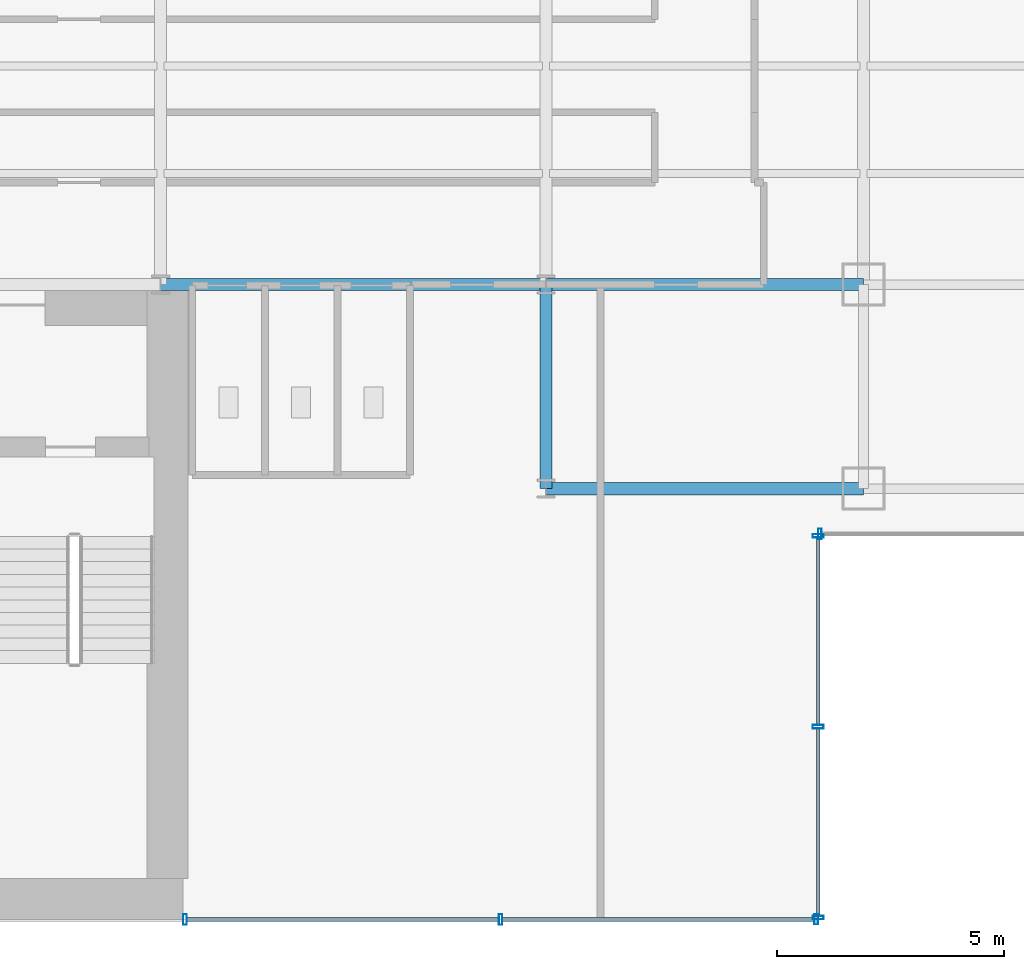
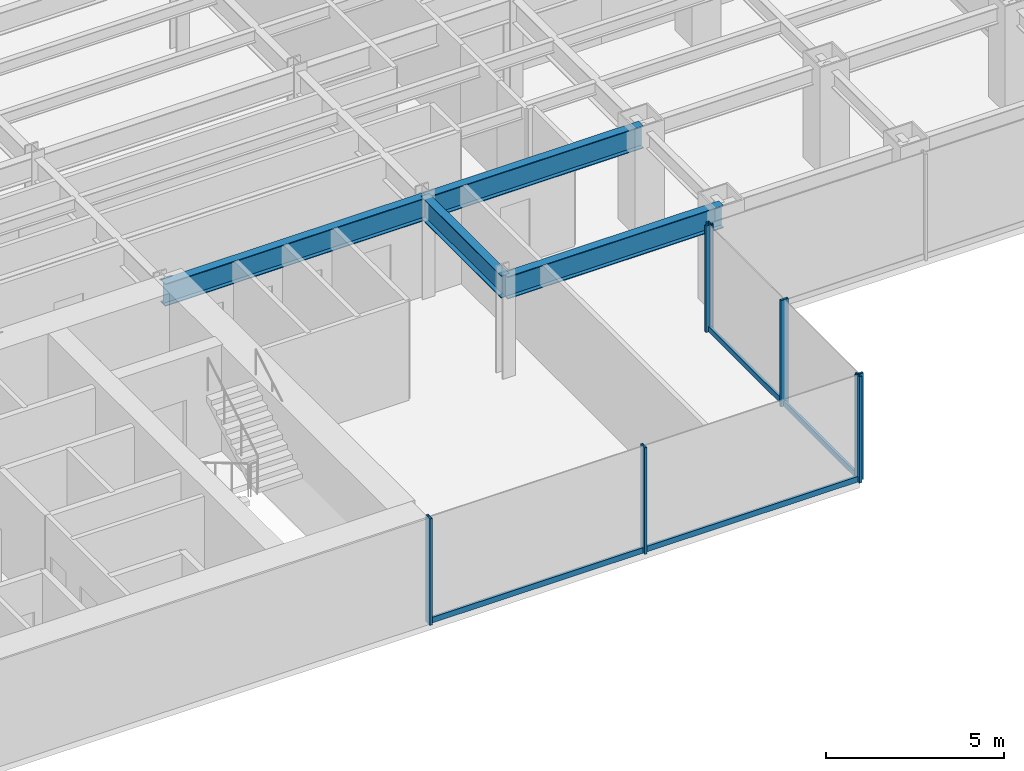
# One storey, part 6 of 22: 11 members, 4 beams, 3 elements without a shape of their own.
"""IFC4 building model written with IfcOpenShell, lengths in metres."""

from ifc_helpers import new_model, si_unit, derived_unit, direction, frame, origin, origin_2d, place, context, subcontext, project, spatial, hollow_rectangle, i_section, extrude, source, transform, mapped, material, material_profile, profile_set, type_object, element, aggregate, save


model = new_model("IFC4")

# Units and contexts
model_context = context("Model", 3, precision=1e-05, world=origin(), true_north=direction((0.0, 1.0)))
body_context = subcontext(model_context, "Body", "Model", "MODEL_VIEW")
ifc_project = project(units=[si_unit("LENGTHUNIT", "METRE"), si_unit("AREAUNIT", "SQUARE_METRE"), si_unit("VOLUMEUNIT", "CUBIC_METRE"), si_unit("PLANEANGLEUNIT", "RADIAN"), si_unit("MASSUNIT", "GRAM", prefix="KILO"), derived_unit("THERMALTRANSMITTANCEUNIT", [(si_unit("POWERUNIT", "WATT"), 1), (si_unit("LENGTHUNIT", "METRE"), -2), (si_unit("THERMODYNAMICTEMPERATUREUNIT", "KELVIN"), -1)])], contexts=[model_context])

# Site, building, storey
site_placement = place(None, origin())
site = spatial("IfcSite", under=ifc_project, at=site_placement, CompositionType="ELEMENT")
building_placement = place(site_placement, origin())
building = spatial("IfcBuilding", under=site, at=building_placement, Name="Skarnbrae Concourse Arena and Tower", CompositionType="ELEMENT")
storey_placement = place(building_placement, frame((0.0, 0.0, 58.050048828125)))
storey = spatial("IfcBuildingStorey", under=building, at=storey_placement, Name="L13", CompositionType="ELEMENT", Elevation=58.050048828125)

# Beams
ifc_material_1 = material(Name="Steel CSA G40.21 350W", Category="steel")
ifc_material_profile_1 = material_profile(ifc_material_1, i_section(OverallWidth=0.26806640625, OverallDepth=0.77001953125, WebThickness=0.015625, FlangeThickness=0.025390625, at=origin_2d()), Name="W760X196")
ifc_profile_set_1 = profile_set([ifc_material_profile_1], Name="Steel CSA G40.21 350W")
beam_type = type_object("IfcBeamType", Name="BM-GIRD-W760X196", PredefinedType="BEAM", material=ifc_profile_set_1)
shared_shape_1 = source(origin(), body_context, "Body", "SweptSolid", [
    extrude(i_section(OverallWidth=0.26806640625, OverallDepth=0.77001953125, WebThickness=0.015625, FlangeThickness=0.025390625, at=origin_2d()), origin(), (0.0, 0.0, 1.0), 7.0),
])
for number, where, z_axis, x_axis, name in (
    (1, (42.0, 9.5, 3.014892578125), (1.0, 0.0, 0.0), (0.0, 1.0, 0.0), "L13 Primary E-W girder Y9.5-2"),
    (2, (42.0, 14.0, 3.014892578125), (1.0, 0.0, 0.0), (0.0, 1.0, 0.0), "L13 Primary E-W girder Y14.0-7"),
):
    element("IfcBeam", number, at=place(storey_placement, frame(where, z_axis=z_axis, x_axis=x_axis)), inside=storey, type_object=beam_type, Name=name, PredefinedType="BEAM", context=body_context, shape_type="MappedRepresentation", body=[
        mapped(shared_shape_1, transform((0.0, 0.0, 0.0))),
    ])
shared_shape_2 = source(origin(), body_context, "Body", "SweptSolid", [
    extrude(i_section(OverallWidth=0.26806640625, OverallDepth=0.77001953125, WebThickness=0.015625, FlangeThickness=0.025390625, at=origin_2d()), origin(), (0.0, 0.0, 1.0), 8.5),
])
beam_1_placement = place(storey_placement, frame((33.5, 14.0, 3.014892578125), z_axis=(1.0, 0.0, 0.0), x_axis=(0.0, 1.0, 0.0)))
element("IfcBeam", 3, at=beam_1_placement, inside=storey, type_object=beam_type, Name="L13 Primary E-W girder Y14.0-6", PredefinedType="BEAM", context=body_context, shape_type="MappedRepresentation", body=[
    mapped(shared_shape_2, transform((0.0, 0.0, 0.0))),
])
shared_shape_3 = source(origin(), body_context, "Body", "SweptSolid", [
    extrude(i_section(OverallWidth=0.26806640625, OverallDepth=0.77001953125, WebThickness=0.015625, FlangeThickness=0.025390625, at=origin_2d()), origin(), (0.0, 0.0, 1.0), 4.5),
])
beam_2_placement = place(storey_placement, frame((42.0, 9.5, 3.014892578125), z_axis=(0.0, 1.0, 0.0), x_axis=(-1.0, 0.0, 0.0)))
element("IfcBeam", 4, at=beam_2_placement, inside=storey, type_object=beam_type, Name="L13 Primary N-S girder X42.0-1", PredefinedType="BEAM", context=body_context, shape_type="MappedRepresentation", body=[
    mapped(shared_shape_3, transform((0.0, 0.0, 0.0))),
])

# Curtain wall, members
ifc_material_2 = material(Name="Bronze anodised aluminium 6063-T6", Category="aluminium")
curtain_wall_type = type_object("IfcCurtainWallType", Name="CW-SYS-02-LOWZONE", PredefinedType="USERDEFINED", material=ifc_material_2)
curtain_wall_1_placement = place(storey_placement, origin())
curtain_wall_1 = element("IfcCurtainWall", 5, at=curtain_wall_1_placement, inside=storey, type_object=curtain_wall_type, Name="L13 Unitised curtain wall CW-L13-SE-SPINE", ObjectType="UNITISED CURTAIN WALL", PredefinedType="USERDEFINED")
ifc_material_profile_2 = material_profile(ifc_material_2, hollow_rectangle(XDim=0.080078125, YDim=0.239990234375, WallThickness=0.0048828125, at=origin_2d()), Name="ALU-MULL-80X240")
ifc_profile_set_2 = profile_set([ifc_material_profile_2], Name="Bronze anodised aluminium 6063-T6")
member_type_1 = type_object("IfcMemberType", Name="CWM-CW-02", PredefinedType="MULLION", material=ifc_profile_set_2)
shared_shape_4 = source(origin(), body_context, "Body", "SweptSolid", [
    extrude(hollow_rectangle(XDim=0.080078125, YDim=0.239990234375, WallThickness=0.0048828125, at=origin_2d()), origin(), (0.0, 0.0, 1.0), 3.64990234375),
])
member_1_placement = place(storey_placement, frame((34.0400390625, 0.0, 0.0), z_axis=(0.0, 0.0, 1.0), x_axis=(1.0, 0.0, 0.0)))
member_1 = element("IfcMember", 6, at=member_1_placement, type_object=member_type_1, Name="CW-L13-SE-SPINE Mullion 1", PredefinedType="MULLION", context=body_context, shape_type="MappedRepresentation", body=[
    mapped(shared_shape_4, transform((0.0, 0.0, 0.0))),
])
member_2_placement = place(storey_placement, frame((41.0, 0.0, 0.0), z_axis=(0.0, 0.0, 1.0), x_axis=(1.0, 0.0, 0.0)))
member_2 = element("IfcMember", 7, at=member_2_placement, type_object=member_type_1, Name="CW-L13-SE-SPINE Mullion 2", PredefinedType="MULLION", context=body_context, shape_type="MappedRepresentation", body=[
    mapped(shared_shape_4, transform((0.0, 0.0, 0.0))),
])
member_3_placement = place(storey_placement, frame((47.9599609375, 0.0, 0.0), z_axis=(0.0, 0.0, 1.0), x_axis=(1.0, 0.0, 0.0)))
member_3 = element("IfcMember", 8, at=member_3_placement, type_object=member_type_1, Name="CW-L13-SE-SPINE Mullion 3", PredefinedType="MULLION", context=body_context, shape_type="MappedRepresentation", body=[
    mapped(shared_shape_4, transform((0.0, 0.0, 0.0))),
])

curtain_wall_2_placement = place(storey_placement, origin())
curtain_wall_2 = element("IfcCurtainWall", 9, at=curtain_wall_2_placement, inside=storey, type_object=curtain_wall_type, Name="L13 Unitised curtain wall CW-L13-E02", ObjectType="UNITISED CURTAIN WALL", PredefinedType="USERDEFINED")
member_4_placement = place(storey_placement, frame((48.0, 0.0400390625, 0.0), z_axis=(0.0, 0.0, 1.0), x_axis=(0.0, 1.0, 0.0)))
member_4 = element("IfcMember", 10, at=member_4_placement, type_object=member_type_1, Name="CW-L13-E02 Mullion 1", PredefinedType="MULLION", context=body_context, shape_type="MappedRepresentation", body=[
    mapped(shared_shape_4, transform((0.0, 0.0, 0.0))),
])
member_5_placement = place(storey_placement, frame((48.0, 4.25, 0.0), z_axis=(0.0, 0.0, 1.0), x_axis=(0.0, 1.0, 0.0)))
member_5 = element("IfcMember", 11, at=member_5_placement, type_object=member_type_1, Name="CW-L13-E02 Mullion 2", PredefinedType="MULLION", context=body_context, shape_type="MappedRepresentation", body=[
    mapped(shared_shape_4, transform((0.0, 0.0, 0.0))),
])
member_6_placement = place(storey_placement, frame((48.0, 8.4599609375, 0.0), z_axis=(0.0, 0.0, 1.0), x_axis=(0.0, 1.0, 0.0)))
member_6 = element("IfcMember", 12, at=member_6_placement, type_object=member_type_1, Name="CW-L13-E02 Mullion 3", PredefinedType="MULLION", context=body_context, shape_type="MappedRepresentation", body=[
    mapped(shared_shape_4, transform((0.0, 0.0, 0.0))),
])

# Curtain wall, member
curtain_wall_3_placement = place(storey_placement, origin())
curtain_wall_3 = element("IfcCurtainWall", 13, at=curtain_wall_3_placement, inside=storey, type_object=curtain_wall_type, Name="L13 Unitised curtain wall CW-L13-E03", ObjectType="UNITISED CURTAIN WALL", PredefinedType="USERDEFINED")
member_7_placement = place(storey_placement, frame((48.0400390625, 8.5, 0.0), z_axis=(0.0, 0.0, 1.0), x_axis=(1.0, 0.0, 0.0)))
member_7 = element("IfcMember", 14, at=member_7_placement, type_object=member_type_1, Name="CW-L13-E03 Mullion 1", PredefinedType="MULLION", context=body_context, shape_type="MappedRepresentation", body=[
    mapped(shared_shape_4, transform((0.0, 0.0, 0.0))),
])
aggregate(curtain_wall_3, [member_7])

# Member
ifc_material_profile_3 = material_profile(ifc_material_2, hollow_rectangle(XDim=0.080078125, YDim=0.18994140625, WallThickness=0.0048828125, at=origin_2d()), Name="ALU-TRAN-80X190")
ifc_profile_set_3 = profile_set([ifc_material_profile_3], Name="Bronze anodised aluminium 6063-T6")
member_type_2 = type_object("IfcMemberType", Name="CWT-CW-02", PredefinedType="USERDEFINED", material=ifc_profile_set_3)
shared_shape_5 = source(origin(), body_context, "Body", "SweptSolid", [
    extrude(hollow_rectangle(XDim=0.080078125, YDim=0.18994140625, WallThickness=0.0048828125, at=origin_2d()), origin(), (0.0, 0.0, 1.0), 6.8798828125),
])
member_8_placement = place(storey_placement, frame((34.080078125, 0.0, 0.094970703125), z_axis=(1.0, 0.0, 0.0), x_axis=(0.0, 1.0, 0.0)))
member_8 = element("IfcMember", 15, at=member_8_placement, type_object=member_type_2, Name="CW-L13-SE-SPINE Transom 1", ObjectType="TRANSOM", PredefinedType="USERDEFINED", context=body_context, shape_type="MappedRepresentation", body=[
    mapped(shared_shape_5, transform((0.0, 0.0, 0.0))),
])

member_9_placement = place(storey_placement, frame((41.0400390625, 0.0, 0.094970703125), z_axis=(1.0, 0.0, 0.0), x_axis=(0.0, 1.0, 0.0)))
member_9 = element("IfcMember", 16, at=member_9_placement, type_object=member_type_2, Name="CW-L13-SE-SPINE Transom 2", ObjectType="TRANSOM", PredefinedType="USERDEFINED", context=body_context, shape_type="MappedRepresentation", body=[
    mapped(shared_shape_5, transform((0.0, 0.0, 0.0))),
])

aggregate(curtain_wall_1, [member_1, member_2, member_3, member_8, member_9])

shared_shape_6 = source(origin(), body_context, "Body", "SweptSolid", [
    extrude(hollow_rectangle(XDim=0.080078125, YDim=0.18994140625, WallThickness=0.0048828125, at=origin_2d()), origin(), (0.0, 0.0, 1.0), 4.1298828125),
])
member_10_placement = place(storey_placement, frame((48.0, 0.080078125, 0.094970703125), z_axis=(0.0, 1.0, 0.0), x_axis=(-1.0, 0.0, 0.0)))
member_10 = element("IfcMember", 17, at=member_10_placement, type_object=member_type_2, Name="CW-L13-E02 Transom 1", ObjectType="TRANSOM", PredefinedType="USERDEFINED", context=body_context, shape_type="MappedRepresentation", body=[
    mapped(shared_shape_6, transform((0.0, 0.0, 0.0))),
])

member_11_placement = place(storey_placement, frame((48.0, 4.2900390625, 0.094970703125), z_axis=(0.0, 1.0, 0.0), x_axis=(-1.0, 0.0, 0.0)))
member_11 = element("IfcMember", 18, at=member_11_placement, type_object=member_type_2, Name="CW-L13-E02 Transom 2", ObjectType="TRANSOM", PredefinedType="USERDEFINED", context=body_context, shape_type="MappedRepresentation", body=[
    mapped(shared_shape_6, transform((0.0, 0.0, 0.0))),
])

aggregate(curtain_wall_2, [member_4, member_5, member_6, member_10, member_11])

save(model, "model.ifc")
